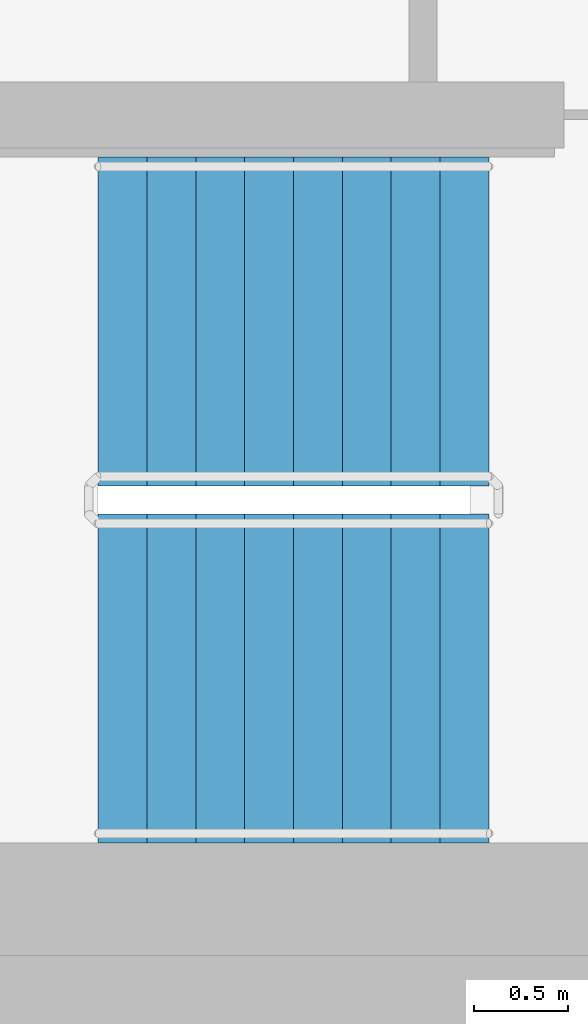
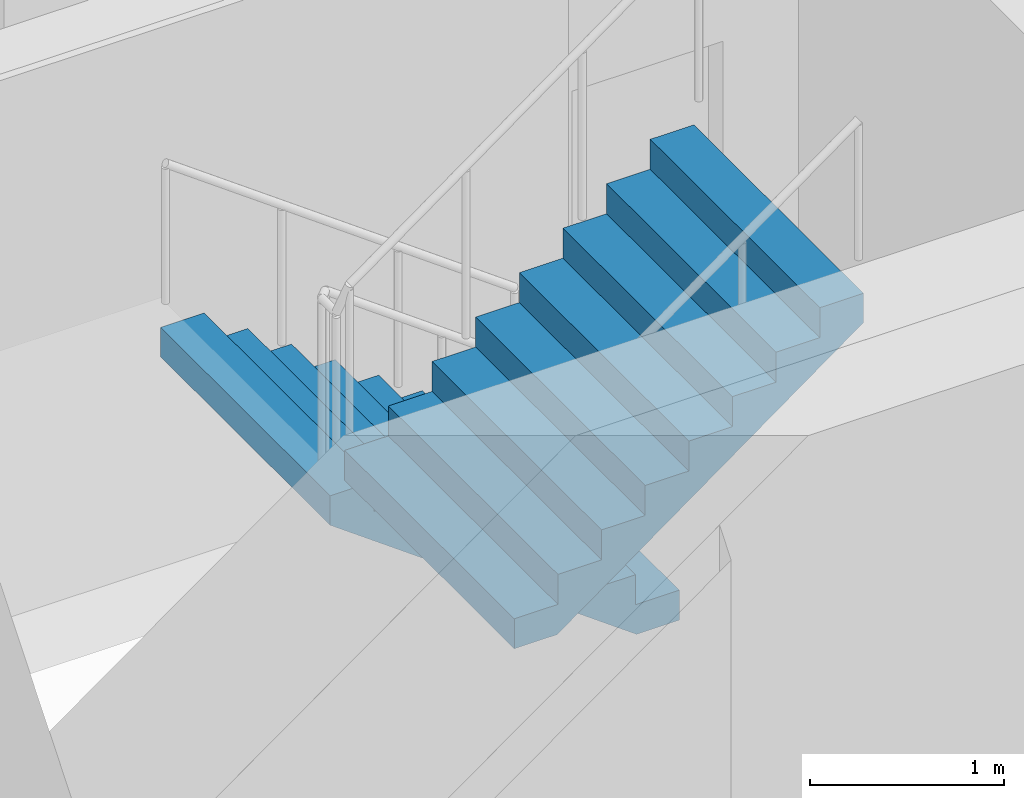
# One storey, part 12 of 18: 2 stair flights, 1 element without a shape of its own.
"""IFC4 building model written with IfcOpenShell, lengths in metres."""

from ifc_helpers import new_model, si_unit, direction, frame, origin, place, context, subcontext, project, spatial, faceted_brep, material, type_object, element, aggregate, save


model = new_model("IFC4")

# Units and contexts
model_context = context("Model", 3, precision=1e-05, world=origin(), true_north=direction((0.0, 1.0)))
body_context = subcontext(model_context, "Body", "Model", "MODEL_VIEW")
ifc_project = project(units=[si_unit("LENGTHUNIT", "METRE"), si_unit("AREAUNIT", "SQUARE_METRE"), si_unit("VOLUMEUNIT", "CUBIC_METRE"), si_unit("PLANEANGLEUNIT", "RADIAN"), si_unit("MASSUNIT", "GRAM", prefix="KILO")], contexts=[model_context])

# Site, building, storey
site_placement = place(None, origin())
site = spatial("IfcSite", under=ifc_project, at=site_placement, CompositionType="ELEMENT")
building_placement = place(site_placement, origin())
building = spatial("IfcBuilding", under=site, at=building_placement, Name="Ipe Terrace Towers", CompositionType="ELEMENT")
storey_placement = place(building_placement, frame((0.0, 0.0, 209.60009765625)))
storey = spatial("IfcBuildingStorey", under=building, at=storey_placement, Name="L58", CompositionType="ELEMENT", Elevation=209.60009765625)

# Stair, stair flights
ifc_material_1 = material(Name="Concrete C30/37", Category="concrete")
stair_type = type_object("IfcStairType", Name="Protected exit stair", PredefinedType="HALF_TURN_STAIR", material=ifc_material_1)
stair_placement = place(storey_placement, origin())
stair = element("IfcStair", 1, at=stair_placement, inside=storey, type_object=stair_type, Name="L58 Exit stair T1-C2", PredefinedType="HALF_TURN_STAIR")
ifc_material_2 = material(Name="Concrete C30/37", Category="concrete")
stair_flight_type = type_object("IfcStairFlightType", Name="Exit stair flight 1750", PredefinedType="STRAIGHT", material=ifc_material_2)
stair_flight_1_placement = place(storey_placement, frame((-45.699951171875, -2.77490234375, 0.0), z_axis=(0.0, 0.0, 1.0), x_axis=(-1.0, 0.0, 0.0)))
stair_flight_1 = element("IfcStairFlight", 2, at=stair_flight_1_placement, type_object=stair_flight_type, Name="T1-ST2 flight 1", NumberOfRisers=9, NumberOfTreads=8, PredefinedType="STRAIGHT", RiserHeight=0.188888889, TreadLength=0.26, context=body_context, shape_type="Brep", body=[
    faceted_brep([(0.255126953125, -0.875, 0.0), (2.080078125, -0.875, 1.325927734375), (2.080078125, -0.875, 1.51123046875), (1.820068359375, -0.875, 1.51123046875), (1.820068359375, -0.875, 1.322265625), (1.56005859375, -0.875, 1.322265625), (1.56005859375, -0.875, 1.13330078125), (1.300048828125, -0.875, 1.13330078125), (1.300048828125, -0.875, 0.9443359375), (1.0400390625, -0.875, 0.9443359375), (1.0400390625, -0.875, 0.755615234375), (0.780029296875, -0.875, 0.755615234375), (0.780029296875, -0.875, 0.566650390625), (0.52001953125, -0.875, 0.566650390625), (0.52001953125, -0.875, 0.377685546875), (0.260009765625, -0.875, 0.377685546875), (0.260009765625, -0.875, 0.18896484375), (0.0, -0.875, 0.18896484375), (0.0, -0.875, 0.0), (0.0, 0.875, 0.0), (0.0, 0.875, 0.18896484375), (0.260009765625, 0.875, 0.18896484375), (0.260009765625, 0.875, 0.377685546875), (0.52001953125, 0.875, 0.377685546875), (0.52001953125, 0.875, 0.566650390625), (0.780029296875, 0.875, 0.566650390625), (0.780029296875, 0.875, 0.755615234375), (1.0400390625, 0.875, 0.755615234375), (1.0400390625, 0.875, 0.9443359375), (1.300048828125, 0.875, 0.9443359375), (1.300048828125, 0.875, 1.13330078125), (1.56005859375, 0.875, 1.13330078125), (1.56005859375, 0.875, 1.322265625), (1.820068359375, 0.875, 1.322265625), (1.820068359375, 0.875, 1.51123046875), (2.080078125, 0.875, 1.51123046875), (2.080078125, 0.875, 1.325927734375), (0.255126953125, 0.875, 0.0), (0.0, -0.300048828125, 0.18896484375), (0.0, -0.1201171875, 0.18896484375), (0.0, -0.06005859375, 0.18896484375), (0.0, -0.030029296875, 0.18896484375), (0.0, -0.010009765625, 0.18896484375), (0.0, 0.0, 0.18896484375), (0.0, 0.010009765625, 0.18896484375), (0.0, 0.030029296875, 0.18896484375), (0.0, 0.06005859375, 0.18896484375), (0.0, 0.1201171875, 0.18896484375), (0.0, 0.300048828125, 0.18896484375), (0.0, 0.300048828125, 0.0), (0.0, 0.1201171875, 0.0), (0.0, 0.06005859375, 0.0), (0.0, 0.030029296875, 0.0), (0.0, 0.010009765625, 0.0), (0.0, 0.0, 0.0), (0.0, -0.010009765625, 0.0), (0.0, -0.030029296875, 0.0), (0.0, -0.06005859375, 0.0), (0.0, -0.1201171875, 0.0), (0.0, -0.300048828125, 0.0), (0.260009765625, -0.300048828125, 0.18896484375), (0.260009765625, -0.1201171875, 0.18896484375), (0.260009765625, -0.06005859375, 0.18896484375), (0.260009765625, -0.030029296875, 0.18896484375), (0.260009765625, -0.010009765625, 0.18896484375), (0.260009765625, 0.0, 0.18896484375), (0.260009765625, 0.010009765625, 0.18896484375), (0.260009765625, 0.030029296875, 0.18896484375), (0.260009765625, 0.06005859375, 0.18896484375), (0.260009765625, 0.1201171875, 0.18896484375), (0.260009765625, 0.300048828125, 0.18896484375), (0.260009765625, -0.300048828125, 0.377685546875), (0.260009765625, -0.1201171875, 0.377685546875), (0.260009765625, -0.06005859375, 0.377685546875), (0.260009765625, -0.030029296875, 0.377685546875), (0.260009765625, -0.010009765625, 0.377685546875), (0.260009765625, 0.0, 0.377685546875), (0.260009765625, 0.010009765625, 0.377685546875), (0.260009765625, 0.030029296875, 0.377685546875), (0.260009765625, 0.06005859375, 0.377685546875), (0.260009765625, 0.1201171875, 0.377685546875), (0.260009765625, 0.300048828125, 0.377685546875), (0.52001953125, -0.300048828125, 0.377685546875), (0.52001953125, -0.1201171875, 0.377685546875), (0.52001953125, -0.06005859375, 0.377685546875), (0.52001953125, -0.030029296875, 0.377685546875), (0.52001953125, -0.010009765625, 0.377685546875), (0.52001953125, 0.0, 0.377685546875), (0.52001953125, 0.010009765625, 0.377685546875), (0.52001953125, 0.030029296875, 0.377685546875), (0.52001953125, 0.06005859375, 0.377685546875), (0.52001953125, 0.1201171875, 0.377685546875), (0.52001953125, 0.300048828125, 0.377685546875), (0.52001953125, -0.300048828125, 0.566650390625), (0.52001953125, -0.1201171875, 0.566650390625), (0.52001953125, -0.06005859375, 0.566650390625), (0.52001953125, -0.030029296875, 0.566650390625), (0.52001953125, -0.010009765625, 0.566650390625), (0.52001953125, 0.0, 0.566650390625), (0.52001953125, 0.010009765625, 0.566650390625), (0.52001953125, 0.030029296875, 0.566650390625), (0.52001953125, 0.06005859375, 0.566650390625), (0.52001953125, 0.1201171875, 0.566650390625), (0.52001953125, 0.300048828125, 0.566650390625), (0.780029296875, -0.300048828125, 0.566650390625), (0.780029296875, -0.1201171875, 0.566650390625), (0.780029296875, -0.06005859375, 0.566650390625), (0.780029296875, -0.030029296875, 0.566650390625), (0.780029296875, -0.010009765625, 0.566650390625), (0.780029296875, 0.0, 0.566650390625), (0.780029296875, 0.010009765625, 0.566650390625), (0.780029296875, 0.030029296875, 0.566650390625), (0.780029296875, 0.06005859375, 0.566650390625), (0.780029296875, 0.1201171875, 0.566650390625), (0.780029296875, 0.300048828125, 0.566650390625), (0.780029296875, -0.300048828125, 0.755615234375), (0.780029296875, -0.1201171875, 0.755615234375), (0.780029296875, -0.06005859375, 0.755615234375), (0.780029296875, -0.030029296875, 0.755615234375), (0.780029296875, -0.010009765625, 0.755615234375), (0.780029296875, 0.0, 0.755615234375), (0.780029296875, 0.010009765625, 0.755615234375), (0.780029296875, 0.030029296875, 0.755615234375), (0.780029296875, 0.06005859375, 0.755615234375), (0.780029296875, 0.1201171875, 0.755615234375), (0.780029296875, 0.300048828125, 0.755615234375), (1.0400390625, -0.300048828125, 0.755615234375), (1.0400390625, -0.1201171875, 0.755615234375), (1.0400390625, -0.06005859375, 0.755615234375), (1.0400390625, -0.030029296875, 0.755615234375), (1.0400390625, -0.010009765625, 0.755615234375), (1.0400390625, 0.0, 0.755615234375), (1.0400390625, 0.010009765625, 0.755615234375), (1.0400390625, 0.030029296875, 0.755615234375), (1.0400390625, 0.06005859375, 0.755615234375), (1.0400390625, 0.1201171875, 0.755615234375), (1.0400390625, 0.300048828125, 0.755615234375), (1.0400390625, -0.300048828125, 0.9443359375), (1.0400390625, -0.1201171875, 0.9443359375), (1.0400390625, -0.06005859375, 0.9443359375), (1.0400390625, -0.030029296875, 0.9443359375), (1.0400390625, -0.010009765625, 0.9443359375), (1.0400390625, 0.0, 0.9443359375), (1.0400390625, 0.010009765625, 0.9443359375), (1.0400390625, 0.030029296875, 0.9443359375), (1.0400390625, 0.06005859375, 0.9443359375), (1.0400390625, 0.1201171875, 0.9443359375), (1.0400390625, 0.300048828125, 0.9443359375), (1.300048828125, -0.300048828125, 0.9443359375), (1.300048828125, -0.1201171875, 0.9443359375), (1.300048828125, -0.06005859375, 0.9443359375), (1.300048828125, -0.030029296875, 0.9443359375), (1.300048828125, -0.010009765625, 0.9443359375), (1.300048828125, 0.0, 0.9443359375), (1.300048828125, 0.010009765625, 0.9443359375), (1.300048828125, 0.030029296875, 0.9443359375), (1.300048828125, 0.06005859375, 0.9443359375), (1.300048828125, 0.1201171875, 0.9443359375), (1.300048828125, 0.300048828125, 0.9443359375), (1.300048828125, -0.300048828125, 1.13330078125), (1.300048828125, -0.1201171875, 1.13330078125), (1.300048828125, -0.06005859375, 1.13330078125), (1.300048828125, -0.030029296875, 1.13330078125), (1.300048828125, -0.010009765625, 1.13330078125), (1.300048828125, 0.0, 1.13330078125), (1.300048828125, 0.010009765625, 1.13330078125), (1.300048828125, 0.030029296875, 1.13330078125), (1.300048828125, 0.06005859375, 1.13330078125), (1.300048828125, 0.1201171875, 1.13330078125), (1.300048828125, 0.300048828125, 1.13330078125), (1.56005859375, -0.300048828125, 1.13330078125), (1.56005859375, -0.1201171875, 1.13330078125), (1.56005859375, -0.06005859375, 1.13330078125), (1.56005859375, -0.030029296875, 1.13330078125), (1.56005859375, -0.010009765625, 1.13330078125), (1.56005859375, 0.0, 1.13330078125), (1.56005859375, 0.010009765625, 1.13330078125), (1.56005859375, 0.030029296875, 1.13330078125), (1.56005859375, 0.06005859375, 1.13330078125), (1.56005859375, 0.1201171875, 1.13330078125), (1.56005859375, 0.300048828125, 1.13330078125), (1.56005859375, -0.300048828125, 1.322265625), (1.56005859375, -0.1201171875, 1.322265625), (1.56005859375, -0.06005859375, 1.322265625), (1.56005859375, -0.030029296875, 1.322265625), (1.56005859375, -0.010009765625, 1.322265625), (1.56005859375, 0.0, 1.322265625), (1.56005859375, 0.010009765625, 1.322265625), (1.56005859375, 0.030029296875, 1.322265625), (1.56005859375, 0.06005859375, 1.322265625), (1.56005859375, 0.1201171875, 1.322265625), (1.56005859375, 0.300048828125, 1.322265625), (1.820068359375, -0.300048828125, 1.322265625), (1.820068359375, -0.1201171875, 1.322265625), (1.820068359375, -0.06005859375, 1.322265625), (1.820068359375, -0.030029296875, 1.322265625), (1.820068359375, -0.010009765625, 1.322265625), (1.820068359375, 0.0, 1.322265625), (1.820068359375, 0.010009765625, 1.322265625), (1.820068359375, 0.030029296875, 1.322265625), (1.820068359375, 0.06005859375, 1.322265625), (1.820068359375, 0.1201171875, 1.322265625), (1.820068359375, 0.300048828125, 1.322265625), (1.820068359375, -0.300048828125, 1.51123046875), (1.820068359375, -0.1201171875, 1.51123046875), (1.820068359375, -0.06005859375, 1.51123046875), (1.820068359375, -0.030029296875, 1.51123046875), (1.820068359375, -0.010009765625, 1.51123046875), (1.820068359375, 0.0, 1.51123046875), (1.820068359375, 0.010009765625, 1.51123046875), (1.820068359375, 0.030029296875, 1.51123046875), (1.820068359375, 0.06005859375, 1.51123046875), (1.820068359375, 0.1201171875, 1.51123046875), (1.820068359375, 0.300048828125, 1.51123046875), (2.080078125, -0.300048828125, 1.51123046875), (2.080078125, -0.1201171875, 1.51123046875), (2.080078125, -0.06005859375, 1.51123046875), (2.080078125, -0.030029296875, 1.51123046875), (2.080078125, -0.010009765625, 1.51123046875), (2.080078125, 0.0, 1.51123046875), (2.080078125, 0.010009765625, 1.51123046875), (2.080078125, 0.030029296875, 1.51123046875), (2.080078125, 0.06005859375, 1.51123046875), (2.080078125, 0.1201171875, 1.51123046875), (2.080078125, 0.300048828125, 1.51123046875), (2.080078125, -0.300048828125, 1.325927734375), (2.080078125, -0.1201171875, 1.325927734375), (2.080078125, -0.06005859375, 1.325927734375), (2.080078125, -0.030029296875, 1.325927734375), (2.080078125, -0.010009765625, 1.325927734375), (2.080078125, 0.0, 1.325927734375), (2.080078125, 0.010009765625, 1.325927734375), (2.080078125, 0.030029296875, 1.325927734375), (2.080078125, 0.06005859375, 1.325927734375), (2.080078125, 0.1201171875, 1.325927734375), (2.080078125, 0.300048828125, 1.325927734375), (0.255126953125, -0.300048828125, 0.0), (0.255126953125, -0.1201171875, 0.0), (0.255126953125, -0.06005859375, 0.0), (0.255126953125, -0.030029296875, 0.0), (0.255126953125, -0.010009765625, 0.0), (0.255126953125, 0.0, 0.0), (0.255126953125, 0.010009765625, 0.0), (0.255126953125, 0.030029296875, 0.0), (0.255126953125, 0.06005859375, 0.0), (0.255126953125, 0.1201171875, 0.0), (0.255126953125, 0.300048828125, 0.0)], [[[0, 1, 2, 3, 4, 5, 6, 7, 8, 9, 10, 11, 12, 13, 14, 15, 16, 17, 18]], [[19, 20, 21, 22, 23, 24, 25, 26, 27, 28, 29, 30, 31, 32, 33, 34, 35, 36, 37]], [[17, 38, 39, 40, 41, 42, 43, 44, 45, 46, 47, 48, 20, 19, 49, 50, 51, 52, 53, 54, 55, 56, 57, 58, 59, 18]], [[16, 60, 61, 62, 63, 64, 65, 66, 67, 68, 69, 70, 21, 20, 48, 47, 46, 45, 44, 43, 42, 41, 40, 39, 38, 17]], [[15, 71, 72, 73, 74, 75, 76, 77, 78, 79, 80, 81, 22, 21, 70, 69, 68, 67, 66, 65, 64, 63, 62, 61, 60, 16]], [[14, 82, 83, 84, 85, 86, 87, 88, 89, 90, 91, 92, 23, 22, 81, 80, 79, 78, 77, 76, 75, 74, 73, 72, 71, 15]], [[13, 93, 94, 95, 96, 97, 98, 99, 100, 101, 102, 103, 24, 23, 92, 91, 90, 89, 88, 87, 86, 85, 84, 83, 82, 14]], [[12, 104, 105, 106, 107, 108, 109, 110, 111, 112, 113, 114, 25, 24, 103, 102, 101, 100, 99, 98, 97, 96, 95, 94, 93, 13]], [[11, 115, 116, 117, 118, 119, 120, 121, 122, 123, 124, 125, 26, 25, 114, 113, 112, 111, 110, 109, 108, 107, 106, 105, 104, 12]], [[10, 126, 127, 128, 129, 130, 131, 132, 133, 134, 135, 136, 27, 26, 125, 124, 123, 122, 121, 120, 119, 118, 117, 116, 115, 11]], [[9, 137, 138, 139, 140, 141, 142, 143, 144, 145, 146, 147, 28, 27, 136, 135, 134, 133, 132, 131, 130, 129, 128, 127, 126, 10]], [[8, 148, 149, 150, 151, 152, 153, 154, 155, 156, 157, 158, 29, 28, 147, 146, 145, 144, 143, 142, 141, 140, 139, 138, 137, 9]], [[7, 159, 160, 161, 162, 163, 164, 165, 166, 167, 168, 169, 30, 29, 158, 157, 156, 155, 154, 153, 152, 151, 150, 149, 148, 8]], [[6, 170, 171, 172, 173, 174, 175, 176, 177, 178, 179, 180, 31, 30, 169, 168, 167, 166, 165, 164, 163, 162, 161, 160, 159, 7]], [[5, 181, 182, 183, 184, 185, 186, 187, 188, 189, 190, 191, 32, 31, 180, 179, 178, 177, 176, 175, 174, 173, 172, 171, 170, 6]], [[4, 192, 193, 194, 195, 196, 197, 198, 199, 200, 201, 202, 33, 32, 191, 190, 189, 188, 187, 186, 185, 184, 183, 182, 181, 5]], [[3, 203, 204, 205, 206, 207, 208, 209, 210, 211, 212, 213, 34, 33, 202, 201, 200, 199, 198, 197, 196, 195, 194, 193, 192, 4]], [[2, 214, 215, 216, 217, 218, 219, 220, 221, 222, 223, 224, 35, 34, 213, 212, 211, 210, 209, 208, 207, 206, 205, 204, 203, 3]], [[1, 225, 226, 227, 228, 229, 230, 231, 232, 233, 234, 235, 36, 35, 224, 223, 222, 221, 220, 219, 218, 217, 216, 215, 214, 2]], [[0, 236, 237, 238, 239, 240, 241, 242, 243, 244, 245, 246, 37, 36, 235, 234, 233, 232, 231, 230, 229, 228, 227, 226, 225, 1]], [[18, 59, 58, 57, 56, 55, 54, 53, 52, 51, 50, 49, 19, 37, 246, 245, 244, 243, 242, 241, 240, 239, 238, 237, 236, 0]]]),
])
stair_flight_2_placement = place(storey_placement, frame((-47.780029296875, -4.675048828125, 1.699951171875), z_axis=(0.0, 0.0, 1.0), x_axis=(1.0, 0.0, 0.0)))
stair_flight_2 = element("IfcStairFlight", 3, at=stair_flight_2_placement, type_object=stair_flight_type, Name="T1-ST2 flight 2", NumberOfRisers=9, NumberOfTreads=8, PredefinedType="STRAIGHT", RiserHeight=0.188888889, TreadLength=0.26, context=body_context, shape_type="Brep", body=[
    faceted_brep([(0.255126953125, -0.875, 0.0), (2.080078125, -0.875, 1.325927734375), (2.080078125, -0.875, 1.51123046875), (1.820068359375, -0.875, 1.51123046875), (1.820068359375, -0.875, 1.322265625), (1.56005859375, -0.875, 1.322265625), (1.56005859375, -0.875, 1.13330078125), (1.300048828125, -0.875, 1.13330078125), (1.300048828125, -0.875, 0.9443359375), (1.0400390625, -0.875, 0.9443359375), (1.0400390625, -0.875, 0.755615234375), (0.780029296875, -0.875, 0.755615234375), (0.780029296875, -0.875, 0.566650390625), (0.52001953125, -0.875, 0.566650390625), (0.52001953125, -0.875, 0.377685546875), (0.260009765625, -0.875, 0.377685546875), (0.260009765625, -0.875, 0.18896484375), (0.0, -0.875, 0.18896484375), (0.0, -0.875, 0.0), (0.0, 0.875, 0.0), (0.0, 0.875, 0.18896484375), (0.260009765625, 0.875, 0.18896484375), (0.260009765625, 0.875, 0.377685546875), (0.52001953125, 0.875, 0.377685546875), (0.52001953125, 0.875, 0.566650390625), (0.780029296875, 0.875, 0.566650390625), (0.780029296875, 0.875, 0.755615234375), (1.0400390625, 0.875, 0.755615234375), (1.0400390625, 0.875, 0.9443359375), (1.300048828125, 0.875, 0.9443359375), (1.300048828125, 0.875, 1.13330078125), (1.56005859375, 0.875, 1.13330078125), (1.56005859375, 0.875, 1.322265625), (1.820068359375, 0.875, 1.322265625), (1.820068359375, 0.875, 1.51123046875), (2.080078125, 0.875, 1.51123046875), (2.080078125, 0.875, 1.325927734375), (0.255126953125, 0.875, 0.0), (0.0, -0.300048828125, 0.18896484375), (0.0, -0.1201171875, 0.18896484375), (0.0, -0.06005859375, 0.18896484375), (0.0, -0.030029296875, 0.18896484375), (0.0, -0.010009765625, 0.18896484375), (0.0, 0.0, 0.18896484375), (0.0, 0.010009765625, 0.18896484375), (0.0, 0.030029296875, 0.18896484375), (0.0, 0.06005859375, 0.18896484375), (0.0, 0.1201171875, 0.18896484375), (0.0, 0.300048828125, 0.18896484375), (0.0, 0.300048828125, 0.0), (0.0, 0.1201171875, 0.0), (0.0, 0.06005859375, 0.0), (0.0, 0.030029296875, 0.0), (0.0, 0.010009765625, 0.0), (0.0, 0.0, 0.0), (0.0, -0.010009765625, 0.0), (0.0, -0.030029296875, 0.0), (0.0, -0.06005859375, 0.0), (0.0, -0.1201171875, 0.0), (0.0, -0.300048828125, 0.0), (0.260009765625, -0.300048828125, 0.18896484375), (0.260009765625, -0.1201171875, 0.18896484375), (0.260009765625, -0.06005859375, 0.18896484375), (0.260009765625, -0.030029296875, 0.18896484375), (0.260009765625, -0.010009765625, 0.18896484375), (0.260009765625, 0.0, 0.18896484375), (0.260009765625, 0.010009765625, 0.18896484375), (0.260009765625, 0.030029296875, 0.18896484375), (0.260009765625, 0.06005859375, 0.18896484375), (0.260009765625, 0.1201171875, 0.18896484375), (0.260009765625, 0.300048828125, 0.18896484375), (0.260009765625, -0.300048828125, 0.377685546875), (0.260009765625, -0.1201171875, 0.377685546875), (0.260009765625, -0.06005859375, 0.377685546875), (0.260009765625, -0.030029296875, 0.377685546875), (0.260009765625, -0.010009765625, 0.377685546875), (0.260009765625, 0.0, 0.377685546875), (0.260009765625, 0.010009765625, 0.377685546875), (0.260009765625, 0.030029296875, 0.377685546875), (0.260009765625, 0.06005859375, 0.377685546875), (0.260009765625, 0.1201171875, 0.377685546875), (0.260009765625, 0.300048828125, 0.377685546875), (0.52001953125, -0.300048828125, 0.377685546875), (0.52001953125, -0.1201171875, 0.377685546875), (0.52001953125, -0.06005859375, 0.377685546875), (0.52001953125, -0.030029296875, 0.377685546875), (0.52001953125, -0.010009765625, 0.377685546875), (0.52001953125, 0.0, 0.377685546875), (0.52001953125, 0.010009765625, 0.377685546875), (0.52001953125, 0.030029296875, 0.377685546875), (0.52001953125, 0.06005859375, 0.377685546875), (0.52001953125, 0.1201171875, 0.377685546875), (0.52001953125, 0.300048828125, 0.377685546875), (0.52001953125, -0.300048828125, 0.566650390625), (0.52001953125, -0.1201171875, 0.566650390625), (0.52001953125, -0.06005859375, 0.566650390625), (0.52001953125, -0.030029296875, 0.566650390625), (0.52001953125, -0.010009765625, 0.566650390625), (0.52001953125, 0.0, 0.566650390625), (0.52001953125, 0.010009765625, 0.566650390625), (0.52001953125, 0.030029296875, 0.566650390625), (0.52001953125, 0.06005859375, 0.566650390625), (0.52001953125, 0.1201171875, 0.566650390625), (0.52001953125, 0.300048828125, 0.566650390625), (0.780029296875, -0.300048828125, 0.566650390625), (0.780029296875, -0.1201171875, 0.566650390625), (0.780029296875, -0.06005859375, 0.566650390625), (0.780029296875, -0.030029296875, 0.566650390625), (0.780029296875, -0.010009765625, 0.566650390625), (0.780029296875, 0.0, 0.566650390625), (0.780029296875, 0.010009765625, 0.566650390625), (0.780029296875, 0.030029296875, 0.566650390625), (0.780029296875, 0.06005859375, 0.566650390625), (0.780029296875, 0.1201171875, 0.566650390625), (0.780029296875, 0.300048828125, 0.566650390625), (0.780029296875, -0.300048828125, 0.755615234375), (0.780029296875, -0.1201171875, 0.755615234375), (0.780029296875, -0.06005859375, 0.755615234375), (0.780029296875, -0.030029296875, 0.755615234375), (0.780029296875, -0.010009765625, 0.755615234375), (0.780029296875, 0.0, 0.755615234375), (0.780029296875, 0.010009765625, 0.755615234375), (0.780029296875, 0.030029296875, 0.755615234375), (0.780029296875, 0.06005859375, 0.755615234375), (0.780029296875, 0.1201171875, 0.755615234375), (0.780029296875, 0.300048828125, 0.755615234375), (1.0400390625, -0.300048828125, 0.755615234375), (1.0400390625, -0.1201171875, 0.755615234375), (1.0400390625, -0.06005859375, 0.755615234375), (1.0400390625, -0.030029296875, 0.755615234375), (1.0400390625, -0.010009765625, 0.755615234375), (1.0400390625, 0.0, 0.755615234375), (1.0400390625, 0.010009765625, 0.755615234375), (1.0400390625, 0.030029296875, 0.755615234375), (1.0400390625, 0.06005859375, 0.755615234375), (1.0400390625, 0.1201171875, 0.755615234375), (1.0400390625, 0.300048828125, 0.755615234375), (1.0400390625, -0.300048828125, 0.9443359375), (1.0400390625, -0.1201171875, 0.9443359375), (1.0400390625, -0.06005859375, 0.9443359375), (1.0400390625, -0.030029296875, 0.9443359375), (1.0400390625, -0.010009765625, 0.9443359375), (1.0400390625, 0.0, 0.9443359375), (1.0400390625, 0.010009765625, 0.9443359375), (1.0400390625, 0.030029296875, 0.9443359375), (1.0400390625, 0.06005859375, 0.9443359375), (1.0400390625, 0.1201171875, 0.9443359375), (1.0400390625, 0.300048828125, 0.9443359375), (1.300048828125, -0.300048828125, 0.9443359375), (1.300048828125, -0.1201171875, 0.9443359375), (1.300048828125, -0.06005859375, 0.9443359375), (1.300048828125, -0.030029296875, 0.9443359375), (1.300048828125, -0.010009765625, 0.9443359375), (1.300048828125, 0.0, 0.9443359375), (1.300048828125, 0.010009765625, 0.9443359375), (1.300048828125, 0.030029296875, 0.9443359375), (1.300048828125, 0.06005859375, 0.9443359375), (1.300048828125, 0.1201171875, 0.9443359375), (1.300048828125, 0.300048828125, 0.9443359375), (1.300048828125, -0.300048828125, 1.13330078125), (1.300048828125, -0.1201171875, 1.13330078125), (1.300048828125, -0.06005859375, 1.13330078125), (1.300048828125, -0.030029296875, 1.13330078125), (1.300048828125, -0.010009765625, 1.13330078125), (1.300048828125, 0.0, 1.13330078125), (1.300048828125, 0.010009765625, 1.13330078125), (1.300048828125, 0.030029296875, 1.13330078125), (1.300048828125, 0.06005859375, 1.13330078125), (1.300048828125, 0.1201171875, 1.13330078125), (1.300048828125, 0.300048828125, 1.13330078125), (1.56005859375, -0.300048828125, 1.13330078125), (1.56005859375, -0.1201171875, 1.13330078125), (1.56005859375, -0.06005859375, 1.13330078125), (1.56005859375, -0.030029296875, 1.13330078125), (1.56005859375, -0.010009765625, 1.13330078125), (1.56005859375, 0.0, 1.13330078125), (1.56005859375, 0.010009765625, 1.13330078125), (1.56005859375, 0.030029296875, 1.13330078125), (1.56005859375, 0.06005859375, 1.13330078125), (1.56005859375, 0.1201171875, 1.13330078125), (1.56005859375, 0.300048828125, 1.13330078125), (1.56005859375, -0.300048828125, 1.322265625), (1.56005859375, -0.1201171875, 1.322265625), (1.56005859375, -0.06005859375, 1.322265625), (1.56005859375, -0.030029296875, 1.322265625), (1.56005859375, -0.010009765625, 1.322265625), (1.56005859375, 0.0, 1.322265625), (1.56005859375, 0.010009765625, 1.322265625), (1.56005859375, 0.030029296875, 1.322265625), (1.56005859375, 0.06005859375, 1.322265625), (1.56005859375, 0.1201171875, 1.322265625), (1.56005859375, 0.300048828125, 1.322265625), (1.820068359375, -0.300048828125, 1.322265625), (1.820068359375, -0.1201171875, 1.322265625), (1.820068359375, -0.06005859375, 1.322265625), (1.820068359375, -0.030029296875, 1.322265625), (1.820068359375, -0.010009765625, 1.322265625), (1.820068359375, 0.0, 1.322265625), (1.820068359375, 0.010009765625, 1.322265625), (1.820068359375, 0.030029296875, 1.322265625), (1.820068359375, 0.06005859375, 1.322265625), (1.820068359375, 0.1201171875, 1.322265625), (1.820068359375, 0.300048828125, 1.322265625), (1.820068359375, -0.300048828125, 1.51123046875), (1.820068359375, -0.1201171875, 1.51123046875), (1.820068359375, -0.06005859375, 1.51123046875), (1.820068359375, -0.030029296875, 1.51123046875), (1.820068359375, -0.010009765625, 1.51123046875), (1.820068359375, 0.0, 1.51123046875), (1.820068359375, 0.010009765625, 1.51123046875), (1.820068359375, 0.030029296875, 1.51123046875), (1.820068359375, 0.06005859375, 1.51123046875), (1.820068359375, 0.1201171875, 1.51123046875), (1.820068359375, 0.300048828125, 1.51123046875), (2.080078125, -0.300048828125, 1.51123046875), (2.080078125, -0.1201171875, 1.51123046875), (2.080078125, -0.06005859375, 1.51123046875), (2.080078125, -0.030029296875, 1.51123046875), (2.080078125, -0.010009765625, 1.51123046875), (2.080078125, 0.0, 1.51123046875), (2.080078125, 0.010009765625, 1.51123046875), (2.080078125, 0.030029296875, 1.51123046875), (2.080078125, 0.06005859375, 1.51123046875), (2.080078125, 0.1201171875, 1.51123046875), (2.080078125, 0.300048828125, 1.51123046875), (2.080078125, -0.300048828125, 1.325927734375), (2.080078125, -0.1201171875, 1.325927734375), (2.080078125, -0.06005859375, 1.325927734375), (2.080078125, -0.030029296875, 1.325927734375), (2.080078125, -0.010009765625, 1.325927734375), (2.080078125, 0.0, 1.325927734375), (2.080078125, 0.010009765625, 1.325927734375), (2.080078125, 0.030029296875, 1.325927734375), (2.080078125, 0.06005859375, 1.325927734375), (2.080078125, 0.1201171875, 1.325927734375), (2.080078125, 0.300048828125, 1.325927734375), (0.255126953125, -0.300048828125, 0.0), (0.255126953125, -0.1201171875, 0.0), (0.255126953125, -0.06005859375, 0.0), (0.255126953125, -0.030029296875, 0.0), (0.255126953125, -0.010009765625, 0.0), (0.255126953125, 0.0, 0.0), (0.255126953125, 0.010009765625, 0.0), (0.255126953125, 0.030029296875, 0.0), (0.255126953125, 0.06005859375, 0.0), (0.255126953125, 0.1201171875, 0.0), (0.255126953125, 0.300048828125, 0.0)], [[[0, 1, 2, 3, 4, 5, 6, 7, 8, 9, 10, 11, 12, 13, 14, 15, 16, 17, 18]], [[19, 20, 21, 22, 23, 24, 25, 26, 27, 28, 29, 30, 31, 32, 33, 34, 35, 36, 37]], [[17, 38, 39, 40, 41, 42, 43, 44, 45, 46, 47, 48, 20, 19, 49, 50, 51, 52, 53, 54, 55, 56, 57, 58, 59, 18]], [[16, 60, 61, 62, 63, 64, 65, 66, 67, 68, 69, 70, 21, 20, 48, 47, 46, 45, 44, 43, 42, 41, 40, 39, 38, 17]], [[15, 71, 72, 73, 74, 75, 76, 77, 78, 79, 80, 81, 22, 21, 70, 69, 68, 67, 66, 65, 64, 63, 62, 61, 60, 16]], [[14, 82, 83, 84, 85, 86, 87, 88, 89, 90, 91, 92, 23, 22, 81, 80, 79, 78, 77, 76, 75, 74, 73, 72, 71, 15]], [[13, 93, 94, 95, 96, 97, 98, 99, 100, 101, 102, 103, 24, 23, 92, 91, 90, 89, 88, 87, 86, 85, 84, 83, 82, 14]], [[12, 104, 105, 106, 107, 108, 109, 110, 111, 112, 113, 114, 25, 24, 103, 102, 101, 100, 99, 98, 97, 96, 95, 94, 93, 13]], [[11, 115, 116, 117, 118, 119, 120, 121, 122, 123, 124, 125, 26, 25, 114, 113, 112, 111, 110, 109, 108, 107, 106, 105, 104, 12]], [[10, 126, 127, 128, 129, 130, 131, 132, 133, 134, 135, 136, 27, 26, 125, 124, 123, 122, 121, 120, 119, 118, 117, 116, 115, 11]], [[9, 137, 138, 139, 140, 141, 142, 143, 144, 145, 146, 147, 28, 27, 136, 135, 134, 133, 132, 131, 130, 129, 128, 127, 126, 10]], [[8, 148, 149, 150, 151, 152, 153, 154, 155, 156, 157, 158, 29, 28, 147, 146, 145, 144, 143, 142, 141, 140, 139, 138, 137, 9]], [[7, 159, 160, 161, 162, 163, 164, 165, 166, 167, 168, 169, 30, 29, 158, 157, 156, 155, 154, 153, 152, 151, 150, 149, 148, 8]], [[6, 170, 171, 172, 173, 174, 175, 176, 177, 178, 179, 180, 31, 30, 169, 168, 167, 166, 165, 164, 163, 162, 161, 160, 159, 7]], [[5, 181, 182, 183, 184, 185, 186, 187, 188, 189, 190, 191, 32, 31, 180, 179, 178, 177, 176, 175, 174, 173, 172, 171, 170, 6]], [[4, 192, 193, 194, 195, 196, 197, 198, 199, 200, 201, 202, 33, 32, 191, 190, 189, 188, 187, 186, 185, 184, 183, 182, 181, 5]], [[3, 203, 204, 205, 206, 207, 208, 209, 210, 211, 212, 213, 34, 33, 202, 201, 200, 199, 198, 197, 196, 195, 194, 193, 192, 4]], [[2, 214, 215, 216, 217, 218, 219, 220, 221, 222, 223, 224, 35, 34, 213, 212, 211, 210, 209, 208, 207, 206, 205, 204, 203, 3]], [[1, 225, 226, 227, 228, 229, 230, 231, 232, 233, 234, 235, 36, 35, 224, 223, 222, 221, 220, 219, 218, 217, 216, 215, 214, 2]], [[0, 236, 237, 238, 239, 240, 241, 242, 243, 244, 245, 246, 37, 36, 235, 234, 233, 232, 231, 230, 229, 228, 227, 226, 225, 1]], [[18, 59, 58, 57, 56, 55, 54, 53, 52, 51, 50, 49, 19, 37, 246, 245, 244, 243, 242, 241, 240, 239, 238, 237, 236, 0]]]),
])
aggregate(stair, [stair_flight_1, stair_flight_2])

save(model, "model.ifc")
